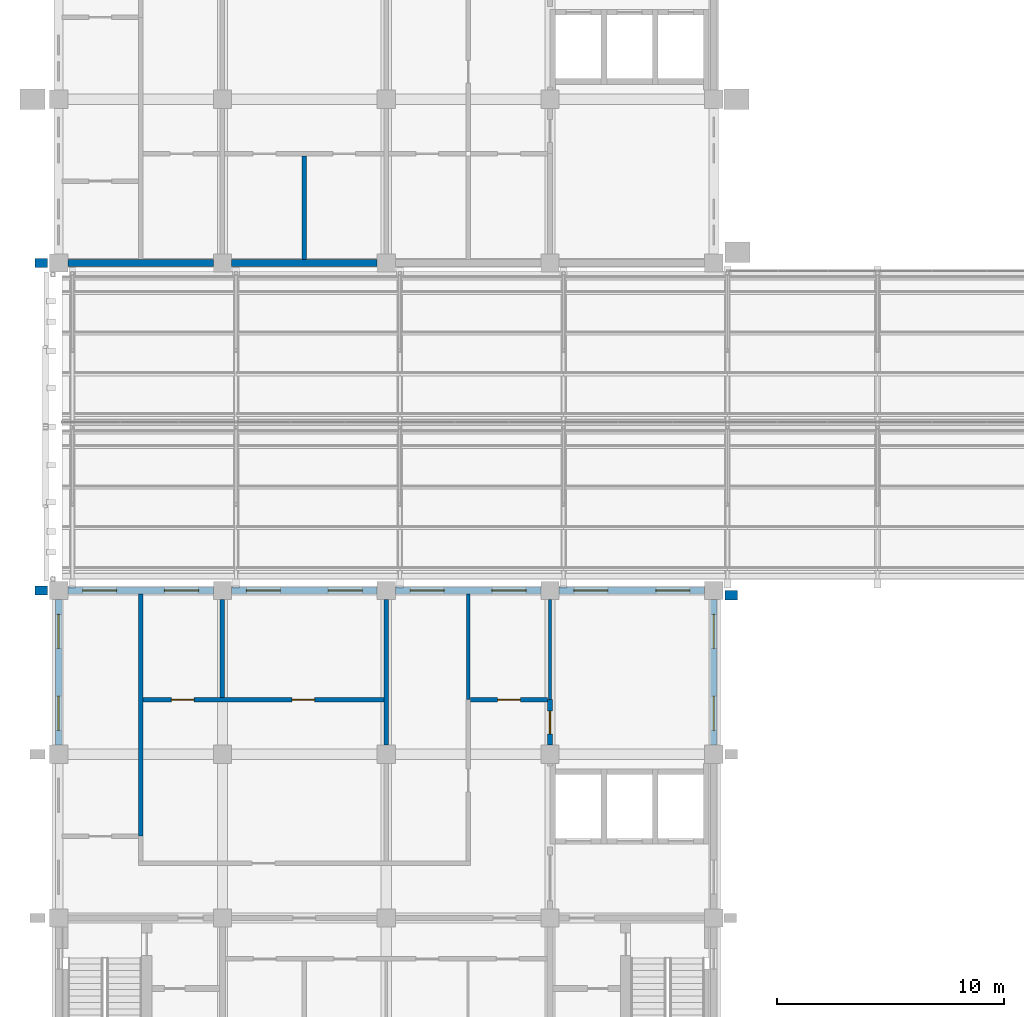
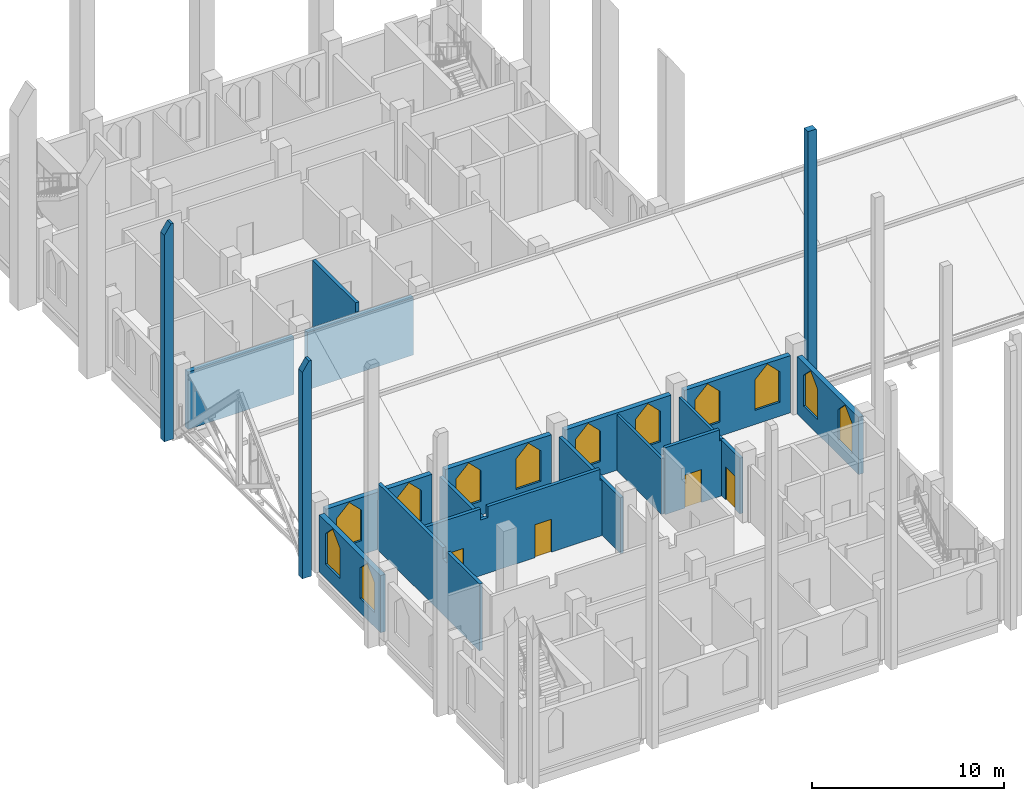
# One storey, part 20 of 29: 20 walls, 12 windows, 4 doors, 16 openings.
"""IFC4 building model written with IfcOpenShell, lengths in metres."""

from ifc_helpers import new_model, si_unit, direction, frame, frame_2d, origin, place, context, subcontext, project, spatial, polyline, rectangle, outline, extrude, material, layer, layer_set, type_object, element, fill, save


model = new_model("IFC4")

# Units and contexts
model_context = context("Model", 3, precision=1e-05, world=origin(), true_north=direction((0.0, 1.0)))
body_context = subcontext(model_context, "Body", "Model", "MODEL_VIEW")
ifc_project = project(units=[si_unit("LENGTHUNIT", "METRE"), si_unit("AREAUNIT", "SQUARE_METRE"), si_unit("VOLUMEUNIT", "CUBIC_METRE"), si_unit("PLANEANGLEUNIT", "RADIAN"), si_unit("MASSUNIT", "GRAM", prefix="KILO")], contexts=[model_context])

# Site, building, storey
site_placement = place(None, origin())
site = spatial("IfcSite", under=ifc_project, at=site_placement, CompositionType="ELEMENT")
building_placement = place(site_placement, origin())
building = spatial("IfcBuilding", under=site, at=building_placement, Name="Silangan Lancet Faculty of Sciences", CompositionType="ELEMENT")
storey_placement = place(building_placement, frame((0.0, 0.0, 40.800048828125)))
storey = spatial("IfcBuildingStorey", under=building, at=storey_placement, Name="L08", CompositionType="ELEMENT", Elevation=40.800048828125)

# Wall, openings, windows
ifc_material_1 = material(Name="Concrete C40/50 precast", Category="concrete")
ifc_layer_1 = layer(ifc_material_1, 0.300048828125)
ifc_layer_set_1 = layer_set([ifc_layer_1], Name="Concrete C40/50 precast")
wall_type_1 = type_object("IfcWallType", Name="EW1 Precast cladding wall", PredefinedType="STANDARD", material=ifc_layer_set_1)
wall_1_placement = place(storey_placement, frame((0.0, 14.800048828125, 0.0), z_axis=(0.0, 0.0, 1.0), x_axis=(0.0, 1.0, 0.0)))
wall_1 = element("IfcWall", 1, at=wall_1_placement, inside=storey, type_object=wall_type_1, Name="EW-L08-W-ST-02", PredefinedType="STANDARD", context=body_context, shape_type="SweptSolid", body=[
    extrude(rectangle(XDim=6.39990234375, YDim=0.300048828125, at=frame_2d((3.199951171875, 0.0))), origin(), (0.0, 0.0, 1.0), 3.64990234375),
])
opening_1_placement = place(wall_1_placement, frame((0.64990234375, 0.0, 0.89990234375)))
opening_1 = element("IfcOpeningElement", 2, at=opening_1_placement, cuts=wall_1, Name="Opening W23", PredefinedType="OPENING", context=body_context, shape_type="SweptSolid", body=[
    extrude(outline(polyline([(0.0, 0.0), (1.5, 0.0), (1.5, 1.949951171875), (0.75, 2.699951171875), (0.0, 1.949951171875), (0.0, 0.0)])), frame((0.0, 0.159912109375, 0.0), z_axis=(0.0, -1.0, 0.0), x_axis=(1.0, 0.0, 0.0)), (0.0, 0.0, 1.0), 0.320068359375),
])
opening_2_placement = place(wall_1_placement, frame((4.25, 0.0, 0.89990234375)))
opening_2 = element("IfcOpeningElement", 3, at=opening_2_placement, cuts=wall_1, Name="Opening W23", PredefinedType="OPENING", context=body_context, shape_type="SweptSolid", body=[
    extrude(outline(polyline([(0.0, 0.0), (1.5, 0.0), (1.5, 1.949951171875), (0.75, 2.699951171875), (0.0, 1.949951171875), (0.0, 0.0)])), frame((0.0, 0.159912109375, 0.0), z_axis=(0.0, -1.0, 0.0), x_axis=(1.0, 0.0, 0.0)), (0.0, 0.0, 1.0), 0.320068359375),
])
ifc_material_2 = material(Name="Aluminium frame, laminated double glazing", Category="aluminium")
window_type = type_object("IfcWindowType", Name="W23 Lancet window 1500 x 2700", PartitioningType="SINGLE_PANEL", PredefinedType="WINDOW", material=ifc_material_2)
window_1_placement = place(opening_1_placement, origin())
window_1 = element("IfcWindow", 4, at=window_1_placement, inside=storey, type_object=window_type, Name="WIN-L08-W-ST-02a", OverallHeight=2.699951171875, OverallWidth=1.5, PartitioningType="SINGLE_PANEL", PredefinedType="WINDOW", context=body_context, shape_type="SweptSolid", body=[
    extrude(outline(polyline([(0.0, 0.0), (1.5, 0.0), (1.5, 1.949951171875), (0.75, 2.699951171875), (0.0, 1.949951171875), (0.0, 0.0)])), frame((0.0, 0.030029296875, 0.0), z_axis=(0.0, -1.0, 0.0), x_axis=(1.0, 0.0, 0.0)), (0.0, 0.0, 1.0), 0.06005859375),
])
fill(opening_1, window_1)
window_2_placement = place(opening_2_placement, origin())
window_2 = element("IfcWindow", 5, at=window_2_placement, inside=storey, type_object=window_type, Name="WIN-L08-W-ST-02b", OverallHeight=2.699951171875, OverallWidth=1.5, PartitioningType="SINGLE_PANEL", PredefinedType="WINDOW", context=body_context, shape_type="SweptSolid", body=[
    extrude(outline(polyline([(0.0, 0.0), (1.5, 0.0), (1.5, 1.949951171875), (0.75, 2.699951171875), (0.0, 1.949951171875), (0.0, 0.0)])), frame((0.0, 0.030029296875, 0.0), z_axis=(0.0, -1.0, 0.0), x_axis=(1.0, 0.0, 0.0)), (0.0, 0.0, 1.0), 0.06005859375),
])
fill(opening_2, window_2)

wall_2_placement = place(storey_placement, frame((28.800048828125, 14.800048828125, 0.0), z_axis=(0.0, 0.0, 1.0), x_axis=(0.0, 1.0, 0.0)))
wall_2 = element("IfcWall", 6, at=wall_2_placement, inside=storey, type_object=wall_type_1, Name="EW-L08-E-ST-02", PredefinedType="STANDARD", context=body_context, shape_type="SweptSolid", body=[
    extrude(rectangle(XDim=6.39990234375, YDim=0.300048828125, at=frame_2d((3.199951171875, 0.0))), origin(), (0.0, 0.0, 1.0), 3.64990234375),
])
opening_3_placement = place(wall_2_placement, frame((0.64990234375, 0.0, 0.89990234375)))
opening_3 = element("IfcOpeningElement", 7, at=opening_3_placement, cuts=wall_2, Name="Opening W23", PredefinedType="OPENING", context=body_context, shape_type="SweptSolid", body=[
    extrude(outline(polyline([(0.0, 0.0), (1.5, 0.0), (1.5, 1.949951171875), (0.75, 2.699951171875), (0.0, 1.949951171875), (0.0, 0.0)])), frame((0.0, 0.159912109375, 0.0), z_axis=(0.0, -1.0, 0.0), x_axis=(1.0, 0.0, 0.0)), (0.0, 0.0, 1.0), 0.320068359375),
])
opening_4_placement = place(wall_2_placement, frame((4.25, 0.0, 0.89990234375)))
opening_4 = element("IfcOpeningElement", 8, at=opening_4_placement, cuts=wall_2, Name="Opening W23", PredefinedType="OPENING", context=body_context, shape_type="SweptSolid", body=[
    extrude(outline(polyline([(0.0, 0.0), (1.5, 0.0), (1.5, 1.949951171875), (0.75, 2.699951171875), (0.0, 1.949951171875), (0.0, 0.0)])), frame((0.0, 0.159912109375, 0.0), z_axis=(0.0, -1.0, 0.0), x_axis=(1.0, 0.0, 0.0)), (0.0, 0.0, 1.0), 0.320068359375),
])
window_3_placement = place(opening_3_placement, origin())
window_3 = element("IfcWindow", 9, at=window_3_placement, inside=storey, type_object=window_type, Name="WIN-L08-E-ST-02a", OverallHeight=2.699951171875, OverallWidth=1.5, PartitioningType="SINGLE_PANEL", PredefinedType="WINDOW", context=body_context, shape_type="SweptSolid", body=[
    extrude(outline(polyline([(0.0, 0.0), (1.5, 0.0), (1.5, 1.949951171875), (0.75, 2.699951171875), (0.0, 1.949951171875), (0.0, 0.0)])), frame((0.0, 0.030029296875, 0.0), z_axis=(0.0, -1.0, 0.0), x_axis=(1.0, 0.0, 0.0)), (0.0, 0.0, 1.0), 0.06005859375),
])
fill(opening_3, window_3)
window_4_placement = place(opening_4_placement, origin())
window_4 = element("IfcWindow", 10, at=window_4_placement, inside=storey, type_object=window_type, Name="WIN-L08-E-ST-02b", OverallHeight=2.699951171875, OverallWidth=1.5, PartitioningType="SINGLE_PANEL", PredefinedType="WINDOW", context=body_context, shape_type="SweptSolid", body=[
    extrude(outline(polyline([(0.0, 0.0), (1.5, 0.0), (1.5, 1.949951171875), (0.75, 2.699951171875), (0.0, 1.949951171875), (0.0, 0.0)])), frame((0.0, 0.030029296875, 0.0), z_axis=(0.0, -1.0, 0.0), x_axis=(1.0, 0.0, 0.0)), (0.0, 0.0, 1.0), 0.06005859375),
])
fill(opening_4, window_4)

wall_3_placement = place(storey_placement, frame((28.39990234375, 21.60009765625, 0.0), z_axis=(0.0, 0.0, 1.0), x_axis=(-1.0, 0.0, 0.0)))
wall_3 = element("IfcWall", 11, at=wall_3_placement, inside=storey, type_object=wall_type_1, Name="EW-L08-N-ST-00", PredefinedType="STANDARD", context=body_context, shape_type="SweptSolid", body=[
    extrude(rectangle(XDim=6.39990234375, YDim=0.300048828125, at=frame_2d((3.199951171875, 0.0))), origin(), (0.0, 0.0, 1.0), 3.64990234375),
])
opening_5_placement = place(wall_3_placement, frame((0.64990234375, 0.0, 0.89990234375)))
opening_5 = element("IfcOpeningElement", 12, at=opening_5_placement, cuts=wall_3, Name="Opening W23", PredefinedType="OPENING", context=body_context, shape_type="SweptSolid", body=[
    extrude(outline(polyline([(0.0, 0.0), (1.5, 0.0), (1.5, 1.949951171875), (0.75, 2.699951171875), (0.0, 1.949951171875), (0.0, 0.0)])), frame((0.0, 0.159912109375, 0.0), z_axis=(0.0, -1.0, 0.0), x_axis=(1.0, 0.0, 0.0)), (0.0, 0.0, 1.0), 0.320068359375),
])
opening_6_placement = place(wall_3_placement, frame((4.25, 0.0, 0.89990234375)))
opening_6 = element("IfcOpeningElement", 13, at=opening_6_placement, cuts=wall_3, Name="Opening W23", PredefinedType="OPENING", context=body_context, shape_type="SweptSolid", body=[
    extrude(outline(polyline([(0.0, 0.0), (1.5, 0.0), (1.5, 1.949951171875), (0.75, 2.699951171875), (0.0, 1.949951171875), (0.0, 0.0)])), frame((0.0, 0.159912109375, 0.0), z_axis=(0.0, -1.0, 0.0), x_axis=(1.0, 0.0, 0.0)), (0.0, 0.0, 1.0), 0.320068359375),
])
window_5_placement = place(opening_5_placement, origin())
window_5 = element("IfcWindow", 14, at=window_5_placement, inside=storey, type_object=window_type, Name="WIN-L08-N-ST-00a", OverallHeight=2.699951171875, OverallWidth=1.5, PartitioningType="SINGLE_PANEL", PredefinedType="WINDOW", context=body_context, shape_type="SweptSolid", body=[
    extrude(outline(polyline([(0.0, 0.0), (1.5, 0.0), (1.5, 1.949951171875), (0.75, 2.699951171875), (0.0, 1.949951171875), (0.0, 0.0)])), frame((0.0, 0.030029296875, 0.0), z_axis=(0.0, -1.0, 0.0), x_axis=(1.0, 0.0, 0.0)), (0.0, 0.0, 1.0), 0.06005859375),
])
fill(opening_5, window_5)
window_6_placement = place(opening_6_placement, origin())
window_6 = element("IfcWindow", 15, at=window_6_placement, inside=storey, type_object=window_type, Name="WIN-L08-N-ST-00b", OverallHeight=2.699951171875, OverallWidth=1.5, PartitioningType="SINGLE_PANEL", PredefinedType="WINDOW", context=body_context, shape_type="SweptSolid", body=[
    extrude(outline(polyline([(0.0, 0.0), (1.5, 0.0), (1.5, 1.949951171875), (0.75, 2.699951171875), (0.0, 1.949951171875), (0.0, 0.0)])), frame((0.0, 0.030029296875, 0.0), z_axis=(0.0, -1.0, 0.0), x_axis=(1.0, 0.0, 0.0)), (0.0, 0.0, 1.0), 0.06005859375),
])
fill(opening_6, window_6)

wall_4_placement = place(storey_placement, frame((21.199951171875, 21.60009765625, 0.0), z_axis=(0.0, 0.0, 1.0), x_axis=(-1.0, 0.0, 0.0)))
wall_4 = element("IfcWall", 16, at=wall_4_placement, inside=storey, type_object=wall_type_1, Name="EW-L08-N-ST-01", PredefinedType="STANDARD", context=body_context, shape_type="SweptSolid", body=[
    extrude(rectangle(XDim=6.39990234375, YDim=0.300048828125, at=frame_2d((3.199951171875, 0.0))), origin(), (0.0, 0.0, 1.0), 3.64990234375),
])
opening_7_placement = place(wall_4_placement, frame((0.64990234375, 0.0, 0.89990234375)))
opening_7 = element("IfcOpeningElement", 17, at=opening_7_placement, cuts=wall_4, Name="Opening W23", PredefinedType="OPENING", context=body_context, shape_type="SweptSolid", body=[
    extrude(outline(polyline([(0.0, 0.0), (1.5, 0.0), (1.5, 1.949951171875), (0.75, 2.699951171875), (0.0, 1.949951171875), (0.0, 0.0)])), frame((0.0, 0.159912109375, 0.0), z_axis=(0.0, -1.0, 0.0), x_axis=(1.0, 0.0, 0.0)), (0.0, 0.0, 1.0), 0.320068359375),
])
opening_8_placement = place(wall_4_placement, frame((4.25, 0.0, 0.89990234375)))
opening_8 = element("IfcOpeningElement", 18, at=opening_8_placement, cuts=wall_4, Name="Opening W23", PredefinedType="OPENING", context=body_context, shape_type="SweptSolid", body=[
    extrude(outline(polyline([(0.0, 0.0), (1.5, 0.0), (1.5, 1.949951171875), (0.75, 2.699951171875), (0.0, 1.949951171875), (0.0, 0.0)])), frame((0.0, 0.159912109375, 0.0), z_axis=(0.0, -1.0, 0.0), x_axis=(1.0, 0.0, 0.0)), (0.0, 0.0, 1.0), 0.320068359375),
])
window_7_placement = place(opening_7_placement, origin())
window_7 = element("IfcWindow", 19, at=window_7_placement, inside=storey, type_object=window_type, Name="WIN-L08-N-ST-01a", OverallHeight=2.699951171875, OverallWidth=1.5, PartitioningType="SINGLE_PANEL", PredefinedType="WINDOW", context=body_context, shape_type="SweptSolid", body=[
    extrude(outline(polyline([(0.0, 0.0), (1.5, 0.0), (1.5, 1.949951171875), (0.75, 2.699951171875), (0.0, 1.949951171875), (0.0, 0.0)])), frame((0.0, 0.030029296875, 0.0), z_axis=(0.0, -1.0, 0.0), x_axis=(1.0, 0.0, 0.0)), (0.0, 0.0, 1.0), 0.06005859375),
])
fill(opening_7, window_7)
window_8_placement = place(opening_8_placement, origin())
window_8 = element("IfcWindow", 20, at=window_8_placement, inside=storey, type_object=window_type, Name="WIN-L08-N-ST-01b", OverallHeight=2.699951171875, OverallWidth=1.5, PartitioningType="SINGLE_PANEL", PredefinedType="WINDOW", context=body_context, shape_type="SweptSolid", body=[
    extrude(outline(polyline([(0.0, 0.0), (1.5, 0.0), (1.5, 1.949951171875), (0.75, 2.699951171875), (0.0, 1.949951171875), (0.0, 0.0)])), frame((0.0, 0.030029296875, 0.0), z_axis=(0.0, -1.0, 0.0), x_axis=(1.0, 0.0, 0.0)), (0.0, 0.0, 1.0), 0.06005859375),
])
fill(opening_8, window_8)

wall_5_placement = place(storey_placement, frame((14.0, 21.60009765625, 0.0), z_axis=(0.0, 0.0, 1.0), x_axis=(-1.0, 0.0, 0.0)))
wall_5 = element("IfcWall", 21, at=wall_5_placement, inside=storey, type_object=wall_type_1, Name="EW-L08-N-ST-02", PredefinedType="STANDARD", context=body_context, shape_type="SweptSolid", body=[
    extrude(rectangle(XDim=6.39990234375, YDim=0.300048828125, at=frame_2d((3.199951171875, 0.0))), origin(), (0.0, 0.0, 1.0), 3.64990234375),
])
opening_9_placement = place(wall_5_placement, frame((0.64990234375, 0.0, 0.89990234375)))
opening_9 = element("IfcOpeningElement", 22, at=opening_9_placement, cuts=wall_5, Name="Opening W23", PredefinedType="OPENING", context=body_context, shape_type="SweptSolid", body=[
    extrude(outline(polyline([(0.0, 0.0), (1.5, 0.0), (1.5, 1.949951171875), (0.75, 2.699951171875), (0.0, 1.949951171875), (0.0, 0.0)])), frame((0.0, 0.159912109375, 0.0), z_axis=(0.0, -1.0, 0.0), x_axis=(1.0, 0.0, 0.0)), (0.0, 0.0, 1.0), 0.320068359375),
])
opening_10_placement = place(wall_5_placement, frame((4.25, 0.0, 0.89990234375)))
opening_10 = element("IfcOpeningElement", 23, at=opening_10_placement, cuts=wall_5, Name="Opening W23", PredefinedType="OPENING", context=body_context, shape_type="SweptSolid", body=[
    extrude(outline(polyline([(0.0, 0.0), (1.5, 0.0), (1.5, 1.949951171875), (0.75, 2.699951171875), (0.0, 1.949951171875), (0.0, 0.0)])), frame((0.0, 0.159912109375, 0.0), z_axis=(0.0, -1.0, 0.0), x_axis=(1.0, 0.0, 0.0)), (0.0, 0.0, 1.0), 0.320068359375),
])
window_9_placement = place(opening_9_placement, origin())
window_9 = element("IfcWindow", 24, at=window_9_placement, inside=storey, type_object=window_type, Name="WIN-L08-N-ST-02a", OverallHeight=2.699951171875, OverallWidth=1.5, PartitioningType="SINGLE_PANEL", PredefinedType="WINDOW", context=body_context, shape_type="SweptSolid", body=[
    extrude(outline(polyline([(0.0, 0.0), (1.5, 0.0), (1.5, 1.949951171875), (0.75, 2.699951171875), (0.0, 1.949951171875), (0.0, 0.0)])), frame((0.0, 0.030029296875, 0.0), z_axis=(0.0, -1.0, 0.0), x_axis=(1.0, 0.0, 0.0)), (0.0, 0.0, 1.0), 0.06005859375),
])
fill(opening_9, window_9)
window_10_placement = place(opening_10_placement, origin())
window_10 = element("IfcWindow", 25, at=window_10_placement, inside=storey, type_object=window_type, Name="WIN-L08-N-ST-02b", OverallHeight=2.699951171875, OverallWidth=1.5, PartitioningType="SINGLE_PANEL", PredefinedType="WINDOW", context=body_context, shape_type="SweptSolid", body=[
    extrude(outline(polyline([(0.0, 0.0), (1.5, 0.0), (1.5, 1.949951171875), (0.75, 2.699951171875), (0.0, 1.949951171875), (0.0, 0.0)])), frame((0.0, 0.030029296875, 0.0), z_axis=(0.0, -1.0, 0.0), x_axis=(1.0, 0.0, 0.0)), (0.0, 0.0, 1.0), 0.06005859375),
])
fill(opening_10, window_10)

wall_6_placement = place(storey_placement, frame((6.800048828125, 21.60009765625, 0.0), z_axis=(0.0, 0.0, 1.0), x_axis=(-1.0, 0.0, 0.0)))
wall_6 = element("IfcWall", 26, at=wall_6_placement, inside=storey, type_object=wall_type_1, Name="EW-L08-N-ST-03", PredefinedType="STANDARD", context=body_context, shape_type="SweptSolid", body=[
    extrude(rectangle(XDim=6.400146484375, YDim=0.300048828125, at=frame_2d((3.2001953125, 0.0))), origin(), (0.0, 0.0, 1.0), 3.64990234375),
])
opening_11_placement = place(wall_6_placement, frame((0.64990234375, 0.0, 0.89990234375)))
opening_11 = element("IfcOpeningElement", 27, at=opening_11_placement, cuts=wall_6, Name="Opening W23", PredefinedType="OPENING", context=body_context, shape_type="SweptSolid", body=[
    extrude(outline(polyline([(0.0, 0.0), (1.5, 0.0), (1.5, 1.949951171875), (0.75, 2.699951171875), (0.0, 1.949951171875), (0.0, 0.0)])), frame((0.0, 0.159912109375, 0.0), z_axis=(0.0, -1.0, 0.0), x_axis=(1.0, 0.0, 0.0)), (0.0, 0.0, 1.0), 0.320068359375),
])
opening_12_placement = place(wall_6_placement, frame((4.25, 0.0, 0.89990234375)))
opening_12 = element("IfcOpeningElement", 28, at=opening_12_placement, cuts=wall_6, Name="Opening W23", PredefinedType="OPENING", context=body_context, shape_type="SweptSolid", body=[
    extrude(outline(polyline([(0.0, 0.0), (1.5, 0.0), (1.5, 1.949951171875), (0.75, 2.699951171875), (0.0, 1.949951171875), (0.0, 0.0)])), frame((0.0, 0.159912109375, 0.0), z_axis=(0.0, -1.0, 0.0), x_axis=(1.0, 0.0, 0.0)), (0.0, 0.0, 1.0), 0.320068359375),
])
window_11_placement = place(opening_11_placement, origin())
window_11 = element("IfcWindow", 29, at=window_11_placement, inside=storey, type_object=window_type, Name="WIN-L08-N-ST-03a", OverallHeight=2.699951171875, OverallWidth=1.5, PartitioningType="SINGLE_PANEL", PredefinedType="WINDOW", context=body_context, shape_type="SweptSolid", body=[
    extrude(outline(polyline([(0.0, 0.0), (1.5, 0.0), (1.5, 1.949951171875), (0.75, 2.699951171875), (0.0, 1.949951171875), (0.0, 0.0)])), frame((0.0, 0.030029296875, 0.0), z_axis=(0.0, -1.0, 0.0), x_axis=(1.0, 0.0, 0.0)), (0.0, 0.0, 1.0), 0.06005859375),
])
fill(opening_11, window_11)
window_12_placement = place(opening_12_placement, origin())
window_12 = element("IfcWindow", 30, at=window_12_placement, inside=storey, type_object=window_type, Name="WIN-L08-N-ST-03b", OverallHeight=2.699951171875, OverallWidth=1.5, PartitioningType="SINGLE_PANEL", PredefinedType="WINDOW", context=body_context, shape_type="SweptSolid", body=[
    extrude(outline(polyline([(0.0, 0.0), (1.5, 0.0), (1.5, 1.949951171875), (0.75, 2.699951171875), (0.0, 1.949951171875), (0.0, 0.0)])), frame((0.0, 0.030029296875, 0.0), z_axis=(0.0, -1.0, 0.0), x_axis=(1.0, 0.0, 0.0)), (0.0, 0.0, 1.0), 0.06005859375),
])
fill(opening_12, window_12)

# Walls
wall_7_placement = place(storey_placement, frame((0.39990234375, 36.0, 0.0), z_axis=(0.0, 0.0, 1.0), x_axis=(1.0, 0.0, 0.0)))
element("IfcWall", 31, at=wall_7_placement, inside=storey, type_object=wall_type_1, Name="EW-L08-S-NT-00", PredefinedType="STANDARD", context=body_context, shape_type="SweptSolid", body=[
    extrude(rectangle(XDim=6.400146484375, YDim=0.300048828125, at=frame_2d((3.2001953125, 0.0))), origin(), (0.0, 0.0, 1.0), 3.64990234375),
])
wall_8_placement = place(storey_placement, frame((7.60009765625, 36.0, 0.0), z_axis=(0.0, 0.0, 1.0), x_axis=(1.0, 0.0, 0.0)))
element("IfcWall", 32, at=wall_8_placement, inside=storey, type_object=wall_type_1, Name="EW-L08-S-NT-01", PredefinedType="STANDARD", context=body_context, shape_type="SweptSolid", body=[
    extrude(rectangle(XDim=6.39990234375, YDim=0.300048828125, at=frame_2d((3.199951171875, 0.0))), origin(), (0.0, 0.0, 1.0), 3.64990234375),
])
ifc_material_3 = material(Name="Concrete C40/50 precast", Category="concrete")
ifc_layer_2 = layer(ifc_material_3, 0.39990234375)
ifc_layer_set_2 = layer_set([ifc_layer_2], Name="Concrete C40/50 precast")
wall_type_2 = type_object("IfcWallType", Name="FN22 Buttress Fin column line stage 3 13750", PredefinedType="POLYGONAL", material=ifc_layer_set_2)
for number, where, z_axis, x_axis, name in (
    (33, (-0.5, 21.60009765625, -0.25), (0.0, 0.0, 1.0), (-1.0, 0.0, 0.0), "FINC-W-NAVE-01-S3"),
    (34, (-0.5, 36.0, -0.25), (0.0, 0.0, 1.0), (-1.0, 0.0, 0.0), "FINC-W-NAVE-03-S3"),
):
    element("IfcWall", number, at=place(storey_placement, frame(where, z_axis=z_axis, x_axis=x_axis)), inside=storey, type_object=wall_type_2, Name=name, PredefinedType="POLYGONAL", context=body_context, shape_type="SweptSolid", body=[
        extrude(outline(polyline([(0.550048828125, 0.0), (0.550048828125, 13.14990234375), (0.14990234375, 13.75), (0.0, 13.75), (0.0, 0.0), (0.550048828125, 0.0)])), frame((0.0, 0.199951171875, 0.0), z_axis=(0.0, -1.0, 0.0), x_axis=(1.0, 0.0, 0.0)), (0.0, 0.0, 1.0), 0.39990234375),
    ])
ifc_material_4 = material(Name="Concrete C40/50 precast", Category="concrete")
ifc_layer_3 = layer(ifc_material_4, 0.39990234375)
ifc_layer_set_3 = layer_set([ifc_layer_3], Name="Concrete C40/50 precast")
wall_type_3 = type_object("IfcWallType", Name="FN43 Buttress Fin column line stage 3 17750", PredefinedType="POLYGONAL", material=ifc_layer_set_3)
wall_9_placement = place(storey_placement, frame((29.300048828125, 21.389892578125, 0.0), z_axis=(0.0, 0.0, 1.0), x_axis=(1.0, 0.0, 0.0)))
element("IfcWall", 35, at=wall_9_placement, inside=storey, type_object=wall_type_3, Name="FINC-E-ST-04", PredefinedType="POLYGONAL", context=body_context, shape_type="SweptSolid", body=[
    extrude(outline(polyline([(0.550048828125, 0.0), (0.550048828125, 17.675048828125), (0.5, 17.75), (0.0, 17.75), (0.0, 0.0), (0.550048828125, 0.0)])), frame((0.0, 0.199951171875, 0.0), z_axis=(0.0, -1.0, 0.0), x_axis=(1.0, 0.0, 0.0)), (0.0, 0.0, 1.0), 0.39990234375),
])

# Wall, opening, door
ifc_material_5 = material(Name="Hollow block masonry fm 7 MPa", Category="masonry")
ifc_layer_4 = layer(ifc_material_5, 0.199951171875)
ifc_layer_set_4 = layer_set([ifc_layer_4], Name="Hollow block masonry fm 7 MPa")
wall_type_4 = type_object("IfcWallType", Name="Interior wall PW1 Corridor wall CHB 200", PredefinedType="PARTITIONING", material=ifc_layer_set_4)
wall_10_placement = place(storey_placement, frame((18.10009765625, 16.800048828125, 0.0), z_axis=(0.0, 0.0, 1.0), x_axis=(1.0, 0.0, 0.0)))
wall_10 = element("IfcWall", 36, at=wall_10_placement, inside=storey, type_object=wall_type_4, Name="Corridor wall CHB 200", PredefinedType="PARTITIONING", context=body_context, shape_type="SweptSolid", body=[
    extrude(outline(polyline([(0.0, 0.0), (3.39990234375, 0.0), (3.39990234375, 3.550048828125), (3.27490234375, 3.550048828125), (3.27490234375, 4.25), (0.0, 4.25), (0.0, 0.0)])), frame((0.0, 0.10009765625, 0.0), z_axis=(0.0, -1.0, 0.0), x_axis=(1.0, 0.0, 0.0)), (0.0, 0.0, 1.0), 0.199951171875),
])
opening_13_placement = place(wall_10_placement, frame((1.199951171875, 0.0, 0.0)))
opening_13 = element("IfcOpeningElement", 37, at=opening_13_placement, cuts=wall_10, Name="Opening L08-011", PredefinedType="OPENING", context=body_context, shape_type="SweptSolid", body=[
    extrude(rectangle(XDim=1.0, YDim=2.10009765625, at=frame_2d((0.5, 1.050048828125))), frame((0.0, 0.10986328125, 0.0), z_axis=(0.0, -1.0, 0.0), x_axis=(1.0, 0.0, 0.0)), (0.0, 0.0, 1.0), 0.219970703125),
])
ifc_material_6 = material(Name="Steel fire door set", Category="steel")
door_type = type_object("IfcDoorType", Name="Door D1 Single leaf fire door 1000 x 2100", OperationType="SINGLE_SWING_LEFT", PredefinedType="DOOR", material=ifc_material_6)
door_1_placement = place(opening_13_placement, origin())
door_1 = element("IfcDoor", 38, at=door_1_placement, inside=storey, type_object=door_type, Name="Single leaf fire door 1000 x 2100", OperationType="SINGLE_SWING_RIGHT", OverallHeight=2.10009765625, OverallWidth=1.0, PredefinedType="DOOR", context=body_context, shape_type="SweptSolid", body=[
    extrude(rectangle(XDim=1.0, YDim=2.10009765625, at=frame_2d((0.5, 1.050048828125))), frame((0.0, 0.02490234375, 0.0), z_axis=(0.0, -1.0, 0.0), x_axis=(1.0, 0.0, 0.0)), (0.0, 0.0, 1.0), 0.050048828125),
])
fill(opening_13, door_1)

wall_11_placement = place(storey_placement, frame((21.60009765625, 14.800048828125, 0.0), z_axis=(0.0, 0.0, 1.0), x_axis=(0.0, 1.0, 0.0)))
wall_11 = element("IfcWall", 39, at=wall_11_placement, inside=storey, type_object=wall_type_4, Name="Corridor wall CHB 200", PredefinedType="PARTITIONING", context=body_context, shape_type="SweptSolid", body=[
    extrude(rectangle(XDim=2.0, YDim=0.199951171875, at=frame_2d((1.0, 0.0))), origin(), (0.0, 0.0, 1.0), 3.550048828125),
])
opening_14_placement = place(wall_11_placement, frame((0.5, 0.0, 0.0)))
opening_14 = element("IfcOpeningElement", 40, at=opening_14_placement, cuts=wall_11, Name="Opening L08-012", PredefinedType="OPENING", context=body_context, shape_type="SweptSolid", body=[
    extrude(rectangle(XDim=1.0, YDim=2.10009765625, at=frame_2d((0.5, 1.050048828125))), frame((0.0, 0.10986328125, 0.0), z_axis=(0.0, -1.0, 0.0), x_axis=(1.0, 0.0, 0.0)), (0.0, 0.0, 1.0), 0.219970703125),
])
door_2_placement = place(opening_14_placement, frame((1.0, 0.0, 0.0), z_axis=(0.0, 0.0, 1.0), x_axis=(-1.0, 0.0, 0.0)))
door_2 = element("IfcDoor", 41, at=door_2_placement, inside=storey, type_object=door_type, Name="Single leaf fire door 1000 x 2100", OperationType="SINGLE_SWING_RIGHT", OverallHeight=2.10009765625, OverallWidth=1.0, PredefinedType="DOOR", context=body_context, shape_type="SweptSolid", body=[
    extrude(rectangle(XDim=1.0, YDim=2.10009765625, at=frame_2d((0.5, 1.050048828125))), frame((0.0, 0.025146484375, 0.0), z_axis=(0.0, -1.0, 0.0), x_axis=(1.0, 0.0, 0.0)), (0.0, 0.0, 1.0), 0.050048828125),
])
fill(opening_14, door_2)

# Walls
ifc_material_7 = material(Name="Hollow block masonry fm 7 MPa", Category="masonry")
ifc_layer_5 = layer(ifc_material_7, 0.14990234375)
ifc_layer_set_5 = layer_set([ifc_layer_5], Name="Hollow block masonry fm 7 MPa")
wall_type_5 = type_object("IfcWallType", Name="Interior wall PW3 Partition CHB 150", PredefinedType="PARTITIONING", material=ifc_layer_set_5)
wall_12_placement = place(storey_placement, frame((18.0, 16.800048828125, 0.0), z_axis=(0.0, 0.0, 1.0), x_axis=(0.0, 1.0, 0.0)))
element("IfcWall", 42, at=wall_12_placement, inside=storey, type_object=wall_type_5, Name="Partition CHB 150", PredefinedType="PARTITIONING", context=body_context, shape_type="SweptSolid", body=[
    extrude(rectangle(XDim=4.64990234375, YDim=0.14990234375, at=frame_2d((2.324951171875, 0.0))), origin(), (0.0, 0.0, 1.0), 3.550048828125),
])
wall_13_placement = place(storey_placement, frame((21.60009765625, 16.800048828125, 0.0), z_axis=(0.0, 0.0, 1.0), x_axis=(0.0, 1.0, 0.0)))
element("IfcWall", 43, at=wall_13_placement, inside=storey, type_object=wall_type_5, Name="Partition CHB 150", PredefinedType="PARTITIONING", context=body_context, shape_type="SweptSolid", body=[
    extrude(rectangle(XDim=4.39990234375, YDim=0.14990234375, at=frame_2d((2.199951171875, 0.0))), origin(), (0.0, 0.0, 1.0), 3.550048828125),
])

# Wall, openings, doors
ifc_material_8 = material(Name="Hollow block masonry fm 7 MPa", Category="masonry")
ifc_layer_6 = layer(ifc_material_8, 0.199951171875)
ifc_layer_set_6 = layer_set([ifc_layer_6], Name="Hollow block masonry fm 7 MPa")
wall_type_6 = type_object("IfcWallType", Name="Interior wall PW4 Laboratory separation CHB 200", PredefinedType="PARTITIONING", material=ifc_layer_set_6)
wall_14_placement = place(storey_placement, frame((3.699951171875, 16.800048828125, 0.0), z_axis=(0.0, 0.0, 1.0), x_axis=(1.0, 0.0, 0.0)))
wall_14 = element("IfcWall", 44, at=wall_14_placement, inside=storey, type_object=wall_type_6, Name="Laboratory separation CHB 200", PredefinedType="PARTITIONING", context=body_context, shape_type="SweptSolid", body=[
    extrude(outline(polyline([(0.0, 0.0), (10.60009765625, 0.0), (10.60009765625, 3.550048828125), (10.47509765625, 3.550048828125), (10.47509765625, 4.25), (3.72509765625, 4.25), (3.72509765625, 3.550048828125), (3.27490234375, 3.550048828125), (3.27490234375, 4.25), (0.0, 4.25), (0.0, 0.0)])), frame((0.0, 0.10009765625, 0.0), z_axis=(0.0, -1.0, 0.0), x_axis=(1.0, 0.0, 0.0)), (0.0, 0.0, 1.0), 0.199951171875),
])
opening_15_placement = place(wall_14_placement, frame((1.25, 0.0, 0.0)))
opening_15 = element("IfcOpeningElement", 45, at=opening_15_placement, cuts=wall_14, Name="Opening L08-015", PredefinedType="OPENING", context=body_context, shape_type="SweptSolid", body=[
    extrude(rectangle(XDim=1.0, YDim=2.10009765625, at=frame_2d((0.5, 1.050048828125))), frame((0.0, 0.10986328125, 0.0), z_axis=(0.0, -1.0, 0.0), x_axis=(1.0, 0.0, 0.0)), (0.0, 0.0, 1.0), 0.219970703125),
])
opening_16_placement = place(wall_14_placement, frame((6.550048828125, 0.0, 0.0)))
opening_16 = element("IfcOpeningElement", 46, at=opening_16_placement, cuts=wall_14, Name="Opening L08-016", PredefinedType="OPENING", context=body_context, shape_type="SweptSolid", body=[
    extrude(rectangle(XDim=1.0, YDim=2.10009765625, at=frame_2d((0.5, 1.050048828125))), frame((0.0, 0.10986328125, 0.0), z_axis=(0.0, -1.0, 0.0), x_axis=(1.0, 0.0, 0.0)), (0.0, 0.0, 1.0), 0.219970703125),
])
door_3_placement = place(opening_15_placement, origin())
door_3 = element("IfcDoor", 47, at=door_3_placement, inside=storey, type_object=door_type, Name="Single leaf fire door 1000 x 2100", OperationType="SINGLE_SWING_RIGHT", OverallHeight=2.10009765625, OverallWidth=1.0, PredefinedType="DOOR", context=body_context, shape_type="SweptSolid", body=[
    extrude(rectangle(XDim=1.0, YDim=2.10009765625, at=frame_2d((0.5, 1.050048828125))), frame((0.0, 0.02490234375, 0.0), z_axis=(0.0, -1.0, 0.0), x_axis=(1.0, 0.0, 0.0)), (0.0, 0.0, 1.0), 0.050048828125),
])
fill(opening_15, door_3)
door_4_placement = place(opening_16_placement, origin())
door_4 = element("IfcDoor", 48, at=door_4_placement, inside=storey, type_object=door_type, Name="Single leaf fire door 1000 x 2100", OperationType="SINGLE_SWING_LEFT", OverallHeight=2.10009765625, OverallWidth=1.0, PredefinedType="DOOR", context=body_context, shape_type="SweptSolid", body=[
    extrude(rectangle(XDim=1.0, YDim=2.10009765625, at=frame_2d((0.5, 1.050048828125))), frame((0.0, 0.02490234375, 0.0), z_axis=(0.0, -1.0, 0.0), x_axis=(1.0, 0.0, 0.0)), (0.0, 0.0, 1.0), 0.050048828125),
])
fill(opening_16, door_4)

# Walls
wall_15_placement = place(storey_placement, frame((3.60009765625, 10.800048828125, 0.0), z_axis=(0.0, 0.0, 1.0), x_axis=(0.0, 1.0, 0.0)))
element("IfcWall", 49, at=wall_15_placement, inside=storey, type_object=wall_type_6, Name="Laboratory separation CHB 200", PredefinedType="PARTITIONING", context=body_context, shape_type="SweptSolid", body=[
    extrude(outline(polyline([(0.0, 0.0), (10.64990234375, 0.0), (10.60009765625, 4.25), (3.824951171875, 4.25), (3.824951171875, 3.550048828125), (3.375, 3.550048828125), (3.375, 4.25), (0.0, 4.25), (0.0, 0.0)])), frame((0.0, 0.10009765625, 0.0), z_axis=(0.0, -1.0, 0.0), x_axis=(1.0, 0.0, 0.0)), (0.0, 0.0, 1.0), 0.199951171875),
])
wall_16_placement = place(storey_placement, frame((7.199951171875, 16.89990234375, 0.0), z_axis=(0.0, 0.0, 1.0), x_axis=(0.0, 1.0, 0.0)))
element("IfcWall", 50, at=wall_16_placement, inside=storey, type_object=wall_type_6, Name="Laboratory separation CHB 200", PredefinedType="PARTITIONING", context=body_context, shape_type="SweptSolid", body=[
    extrude(rectangle(XDim=4.300048828125, YDim=0.199951171875, at=frame_2d((2.14990234375, 0.0))), origin(), (0.0, 0.0, 1.0), 3.550048828125),
])
wall_17_placement = place(storey_placement, frame((10.800048828125, 36.14990234375, 0.0), z_axis=(0.0, 0.0, 1.0), x_axis=(0.0, 1.0, 0.0)))
element("IfcWall", 51, at=wall_17_placement, inside=storey, type_object=wall_type_6, Name="Laboratory separation CHB 200", PredefinedType="PARTITIONING", context=body_context, shape_type="SweptSolid", body=[
    extrude(outline(polyline([(0.0, 0.0), (4.550048828125, 0.0), (4.550048828125, 4.25), (0.050048828125, 4.25), (0.050048828125, 3.64990234375), (0.0, 3.64990234375), (0.0, 0.0)])), frame((0.0, 0.10009765625, 0.0), z_axis=(0.0, -1.0, 0.0), x_axis=(1.0, 0.0, 0.0)), (0.0, 0.0, 1.0), 0.199951171875),
])
wall_18_placement = place(storey_placement, frame((14.39990234375, 14.800048828125, 0.0), z_axis=(0.0, 0.0, 1.0), x_axis=(0.0, 1.0, 0.0)))
element("IfcWall", 52, at=wall_18_placement, inside=storey, type_object=wall_type_6, Name="Laboratory separation CHB 200", PredefinedType="PARTITIONING", context=body_context, shape_type="SweptSolid", body=[
    extrude(rectangle(XDim=6.39990234375, YDim=0.199951171875, at=frame_2d((3.199951171875, 0.0))), origin(), (0.0, 0.0, 1.0), 3.550048828125),
])

save(model, "model.ifc")
